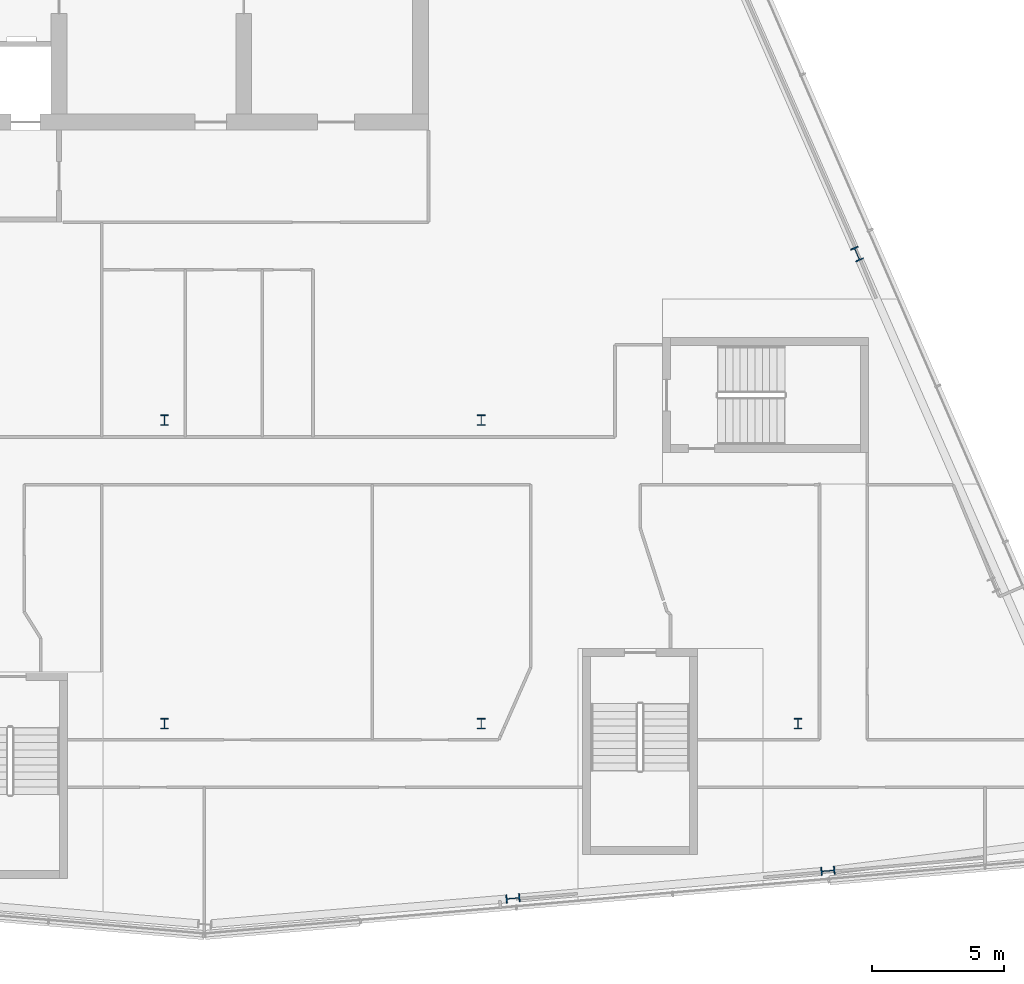
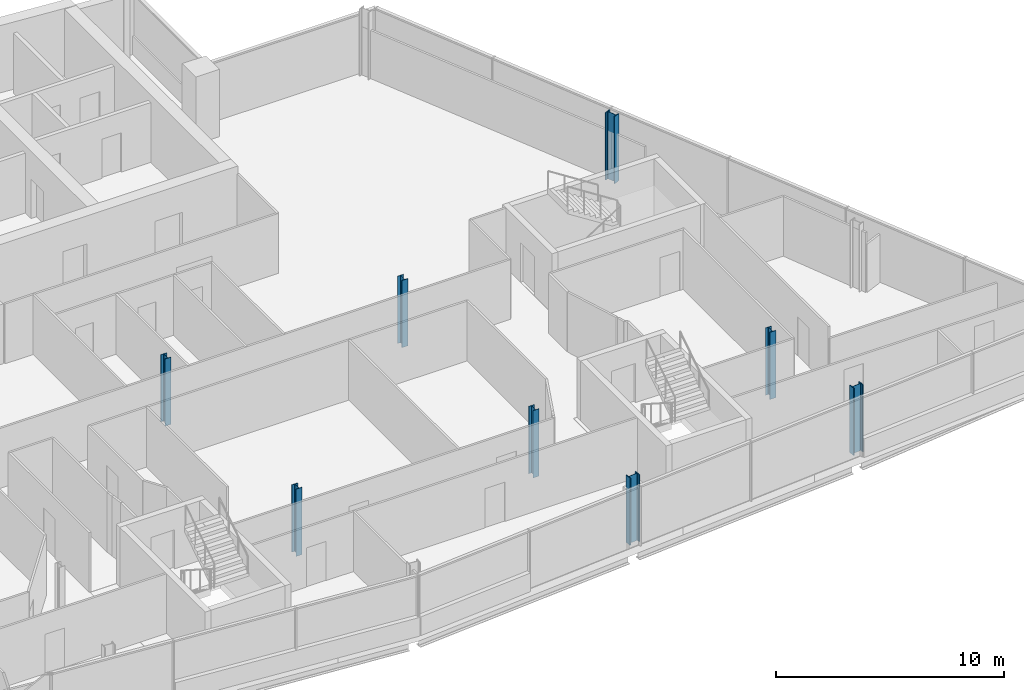
# One storey, part 2 of 22: 8 columns.
"""IFC4 building model written with IfcOpenShell, lengths in metres."""

from ifc_helpers import new_model, si_unit, direction, frame, origin, origin_2d, place, context, subcontext, project, spatial, i_section, extrude, material, material_profile, profile_set, type_object, element, save


model = new_model("IFC4")

# Units and contexts
model_context = context("Model", 3, precision=1e-05, world=origin(), true_north=direction((0.0, 1.0)))
body_context = subcontext(model_context, "Body", "Model", "MODEL_VIEW")
ifc_project = project(units=[si_unit("LENGTHUNIT", "METRE"), si_unit("AREAUNIT", "SQUARE_METRE"), si_unit("VOLUMEUNIT", "CUBIC_METRE"), si_unit("PLANEANGLEUNIT", "RADIAN"), si_unit("MASSUNIT", "GRAM", prefix="KILO")], contexts=[model_context])

# Site, building, storey
site_placement = place(None, origin())
site = spatial("IfcSite", under=ifc_project, at=site_placement, CompositionType="ELEMENT")
building_placement = place(site_placement, origin())
building = spatial("IfcBuilding", under=site, at=building_placement, Name="Wharfspan Tower", CompositionType="ELEMENT")
storey_placement = place(building_placement, frame((0.0, 0.0, 246.699951)))
storey = spatial("IfcBuildingStorey", under=building, at=storey_placement, Name="L62", CompositionType="ELEMENT", Elevation=246.699951)

# Columns
ifc_material = material(Name="Steel S355J2", Category="steel")
ifc_material_profile_1 = material_profile(ifc_material, i_section(OverallWidth=0.300049, OverallDepth=0.399902, WebThickness=0.013428, FlangeThickness=0.023926, FilletRadius=0.0271, at=origin_2d()))
ifc_profile_set_1 = profile_set([ifc_material_profile_1], Name="Steel S355J2")
column_type_1 = type_object("IfcColumnType", Name="Column HEB 400", PredefinedType="COLUMN", material=ifc_profile_set_1)
for number, where, z_axis, x_axis, name in (
    (1, (48.0, 11.5, 0.0), (0.0, 0.0, 1.0), (1.0, 0.0, 0.0), "Interior column I.1.3 L62"),
    (2, (60.0, 11.5, 0.0), (0.0, 0.0, 1.0), (1.0, 0.0, 0.0), "Interior column I.1.4 L62"),
    (3, (72.0, 11.5, 0.0), (0.0, 0.0, 1.0), (1.0, 0.0, 0.0), "Interior column I.1.5 L62"),
    (4, (48.0, 23.0, 0.0), (0.0, 0.0, 1.0), (1.0, 0.0, 0.0), "Interior column I.2.3 L62"),
    (5, (60.0, 23.0, 0.0), (0.0, 0.0, 1.0), (1.0, 0.0, 0.0), "Interior column I.2.4 L62"),
):
    element("IfcColumn", number, at=place(storey_placement, frame(where, z_axis=z_axis, x_axis=x_axis)), inside=storey, type_object=column_type_1, Name=name, PredefinedType="COLUMN", context=body_context, shape_type="SweptSolid", body=[
        extrude(i_section(OverallWidth=0.300049, OverallDepth=0.399902, WebThickness=0.013428, FlangeThickness=0.023926, FilletRadius=0.0271, at=origin_2d()), origin(), (0.0, 0.0, 1.0), 3.600098),
    ])
ifc_material_profile_2 = material_profile(ifc_material, i_section(OverallWidth=0.305908, OverallDepth=0.523926, WebThickness=0.020996, FlangeThickness=0.040039, FilletRadius=0.0271, at=origin_2d()))
ifc_profile_set_2 = profile_set([ifc_material_profile_2], Name="Steel S355J2")
column_type_2 = type_object("IfcColumnType", Name="Column HEM 500", PredefinedType="COLUMN", material=ifc_profile_set_2)
for number, where, z_axis, x_axis, name in (
    (6, (61.202393, 4.879395, 0.0), (0.0, 0.0, 1.0), (0.087156, -0.996197, 0.0), "Perimeter column PS2.1 L62"),
    (7, (73.135254, 5.92334, 0.0), (0.0, 0.0, 1.0), (0.087156, -0.996197, 0.0), "Perimeter column PS2.2 L62"),
    (8, (74.235352, 29.294922, 0.0), (0.0, 0.0, 1.0), (0.917072, 0.398727, 0.0), "Perimeter column PE.2 L62"),
):
    element("IfcColumn", number, at=place(storey_placement, frame(where, z_axis=z_axis, x_axis=x_axis)), inside=storey, type_object=column_type_2, Name=name, PredefinedType="COLUMN", context=body_context, shape_type="SweptSolid", body=[
        extrude(i_section(OverallWidth=0.305908, OverallDepth=0.523926, WebThickness=0.020996, FlangeThickness=0.040039, FilletRadius=0.0271, at=origin_2d()), origin(), (0.0, 0.0, 1.0), 3.600098),
    ])

save(model, "model.ifc")
